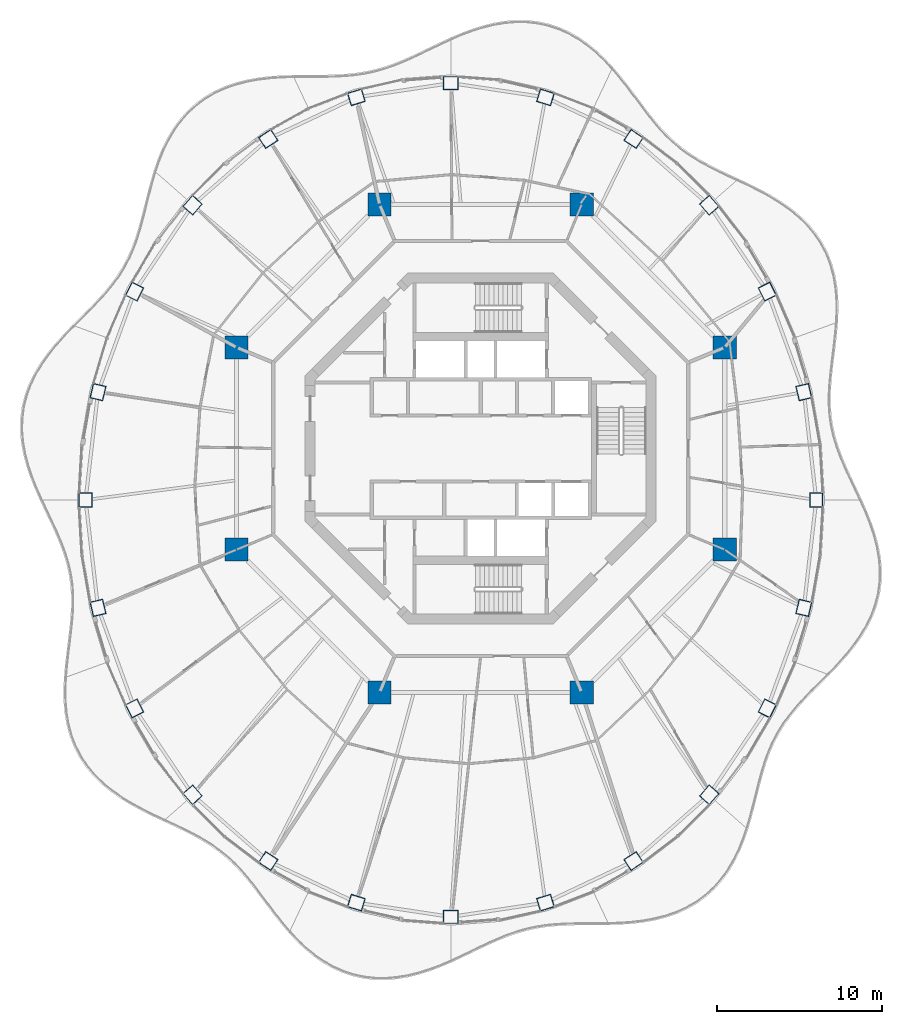
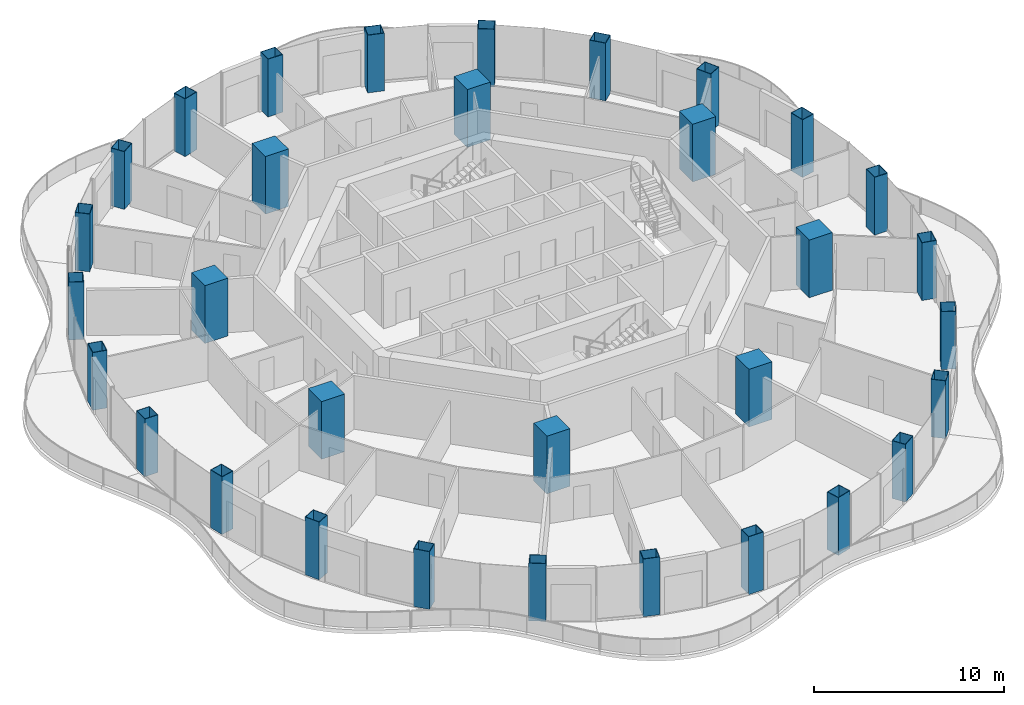
# One storey, part 1 of 17: 32 columns.
"""IFC4 building model written with IfcOpenShell, lengths in metres."""

from ifc_helpers import new_model, si_unit, direction, frame, origin, origin_2d, place, context, subcontext, project, spatial, rectangle, hollow_rectangle, extrude, material, material_profile, profile_set, type_object, element, save


model = new_model("IFC4")

# Units and contexts
model_context = context("Model", 3, precision=1e-05, world=origin(), true_north=direction((0.0, 1.0)))
body_context = subcontext(model_context, "Body", "Model", "MODEL_VIEW")
ifc_project = project(units=[si_unit("LENGTHUNIT", "METRE"), si_unit("AREAUNIT", "SQUARE_METRE"), si_unit("VOLUMEUNIT", "CUBIC_METRE"), si_unit("PLANEANGLEUNIT", "RADIAN"), si_unit("MASSUNIT", "GRAM", prefix="KILO")], contexts=[model_context])

# Site, building, storey
site_placement = place(None, origin())
site = spatial("IfcSite", under=ifc_project, at=site_placement, CompositionType="ELEMENT")
building_placement = place(site_placement, origin())
building = spatial("IfcBuilding", under=site, at=building_placement, Name="Nagisa Residences", CompositionType="ELEMENT")
storey_placement = place(building_placement, frame((0.0, 0.0, 269.60009765625)))
storey = spatial("IfcBuildingStorey", under=building, at=storey_placement, Name="L68", CompositionType="ELEMENT", Elevation=269.60009765625)

# Columns
ifc_material_1 = material(Name="Concrete C80", Category="concrete")
ifc_material_profile_1 = material_profile(ifc_material_1, rectangle(XDim=1.39990234375, YDim=1.39990234375, at=origin_2d()), Name="C80 1400x1400")
ifc_profile_set_1 = profile_set([ifc_material_profile_1], Name="Concrete C80")
column_type_1 = type_object("IfcColumnType", Name="Inner megacolumn C80 1400x1400", PredefinedType="COLUMN", material=ifc_profile_set_1)
for number, where, z_axis, x_axis, name in (
    (1, (14.781982421875, 6.123046875, 0.0), (0.0, 0.0, 1.0), (1.0, 0.0, 0.0), "col:L68:i1"),
    (2, (6.123046875, 14.781982421875, 0.0), (0.0, 0.0, 1.0), (1.0, 0.0, 0.0), "col:L68:i2"),
    (3, (-6.123046875, 14.781982421875, 0.0), (0.0, 0.0, 1.0), (1.0, 0.0, 0.0), "col:L68:i3"),
    (4, (-14.781982421875, 6.123046875, 0.0), (0.0, 0.0, 1.0), (1.0, 0.0, 0.0), "col:L68:i4"),
    (5, (-14.781982421875, -6.123046875, 0.0), (0.0, 0.0, 1.0), (1.0, 0.0, 0.0), "col:L68:i5"),
    (6, (-6.123046875, -14.781982421875, 0.0), (0.0, 0.0, 1.0), (1.0, 0.0, 0.0), "col:L68:i6"),
    (7, (6.123046875, -14.781982421875, 0.0), (0.0, 0.0, 1.0), (1.0, 0.0, 0.0), "col:L68:i7"),
    (8, (14.781982421875, -6.123046875, 0.0), (0.0, 0.0, 1.0), (1.0, 0.0, 0.0), "col:L68:i8"),
):
    element("IfcColumn", number, at=place(storey_placement, frame(where, z_axis=z_axis, x_axis=x_axis)), inside=storey, type_object=column_type_1, Name=name, PredefinedType="COLUMN", context=body_context, shape_type="SweptSolid", body=[
        extrude(rectangle(XDim=1.39990234375, YDim=1.39990234375, at=origin_2d()), origin(), (0.0, 0.0, 1.0), 3.699951171875),
    ])
ifc_material_2 = material(Name="Steel ASTM A572 Gr 50", Category="steel")
ifc_material_profile_2 = material_profile(ifc_material_2, hollow_rectangle(XDim=0.89990234375, YDim=0.800048828125, WallThickness=0.028076171875, at=origin_2d()), Name="BX 900x800x28")
ifc_profile_set_2 = profile_set([ifc_material_profile_2], Name="Steel ASTM A572 Gr 50")
column_type_2 = type_object("IfcColumnType", Name="Perimeter column BX 900x800x28", PredefinedType="COLUMN", material=ifc_profile_set_2)
for number, where, z_axis, x_axis, name in (
    (9, (20.320068359375, -3.11767578125, 0.0), (0.0, 0.0, 1.0), (0.0, 1.0, 0.0), "col:L68:p00"),
    (10, (19.566162109375, 3.414794921875, 0.0), (0.0, 0.0, 1.0), (-0.229202013103, 0.973378876486, 0.0), "col:L68:p01"),
    (11, (17.3564453125, 9.502197265625, 0.0), (0.0, 0.0, 1.0), (-0.452462697578, 0.891783329795, 0.0), "col:L68:p02"),
    (12, (13.84130859375, 14.729736328125, 0.0), (0.0, 0.0, 1.0), (-0.660114607735, 0.751164898445, 0.0), "col:L68:p03"),
    (13, (9.260009765625, 18.74072265625, 0.0), (0.0, 0.0, 1.0), (-0.835766105673, 0.54908561865, 0.0), "col:L68:p04"),
    (14, (3.925048828125, 21.26220703125, 0.0), (0.0, 0.0, 1.0), (-0.956524583408, 0.291651712384, 0.0), "col:L68:p05"),
    (15, (-1.800048828125, 22.122314453125, 0.0), (0.0, 0.0, 1.0), (-1.0, 0.0, 0.0), "col:L68:p06"),
    (16, (-7.525146484375, 21.26220703125, 0.0), (0.0, 0.0, 1.0), (-0.956524583408, -0.291651712384, 0.0), "col:L68:p07"),
    (17, (-12.860107421875, 18.74072265625, 0.0), (0.0, 0.0, 1.0), (-0.835766105673, -0.54908561865, 0.0), "col:L68:p08"),
    (18, (-17.441162109375, 14.729736328125, 0.0), (0.0, 0.0, 1.0), (-0.660114607735, -0.751164898445, 0.0), "col:L68:p09"),
    (19, (-20.95654296875, 9.502197265625, 0.0), (0.0, 0.0, 1.0), (-0.452462697578, -0.891783329795, 0.0), "col:L68:p10"),
    (20, (-23.166259765625, 3.414794921875, 0.0), (0.0, 0.0, 1.0), (-0.229202013103, -0.973378876486, 0.0), "col:L68:p11"),
    (21, (-23.919921875, -3.11767578125, 0.0), (0.0, 0.0, 1.0), (0.0, -1.0, 0.0), "col:L68:p12"),
    (22, (-23.166259765625, -9.650390625, 0.0), (0.0, 0.0, 1.0), (0.229202013103, -0.973378876486, 0.0), "col:L68:p13"),
    (23, (-20.95654296875, -15.73779296875, 0.0), (0.0, 0.0, 1.0), (0.452462697578, -0.891783329795, 0.0), "col:L68:p14"),
    (24, (-17.441162109375, -20.965087890625, 0.0), (0.0, 0.0, 1.0), (0.660114607735, -0.751164898445, 0.0), "col:L68:p15"),
    (25, (-12.860107421875, -24.97607421875, 0.0), (0.0, 0.0, 1.0), (0.835766105673, -0.54908561865, 0.0), "col:L68:p16"),
    (26, (-7.525146484375, -27.49755859375, 0.0), (0.0, 0.0, 1.0), (0.956524583408, -0.291651712384, 0.0), "col:L68:p17"),
    (27, (-1.800048828125, -28.357666015625, 0.0), (0.0, 0.0, 1.0), (1.0, 0.0, 0.0), "col:L68:p18"),
    (28, (3.925048828125, -27.49755859375, 0.0), (0.0, 0.0, 1.0), (0.956524583408, 0.291651712384, 0.0), "col:L68:p19"),
    (29, (9.260009765625, -24.97607421875, 0.0), (0.0, 0.0, 1.0), (0.835766105673, 0.54908561865, 0.0), "col:L68:p20"),
    (30, (13.84130859375, -20.965087890625, 0.0), (0.0, 0.0, 1.0), (0.660114607735, 0.751164898445, 0.0), "col:L68:p21"),
    (31, (17.3564453125, -15.73779296875, 0.0), (0.0, 0.0, 1.0), (0.452462697578, 0.891783329795, 0.0), "col:L68:p22"),
    (32, (19.566162109375, -9.650390625, 0.0), (0.0, 0.0, 1.0), (0.229202013103, 0.973378876486, 0.0), "col:L68:p23"),
):
    element("IfcColumn", number, at=place(storey_placement, frame(where, z_axis=z_axis, x_axis=x_axis)), inside=storey, type_object=column_type_2, Name=name, PredefinedType="COLUMN", context=body_context, shape_type="SweptSolid", body=[
        extrude(hollow_rectangle(XDim=0.89990234375, YDim=0.800048828125, WallThickness=0.028076171875, at=origin_2d()), origin(), (0.0, 0.0, 1.0), 3.699951171875),
    ])

save(model, "model.ifc")
